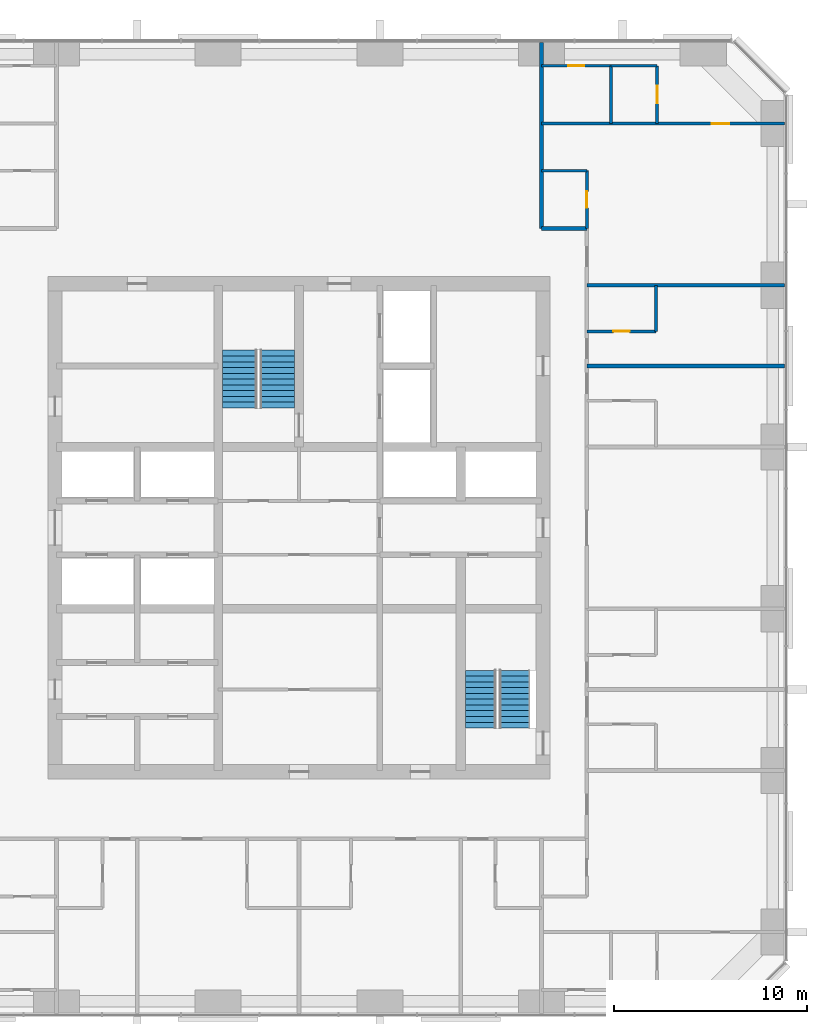
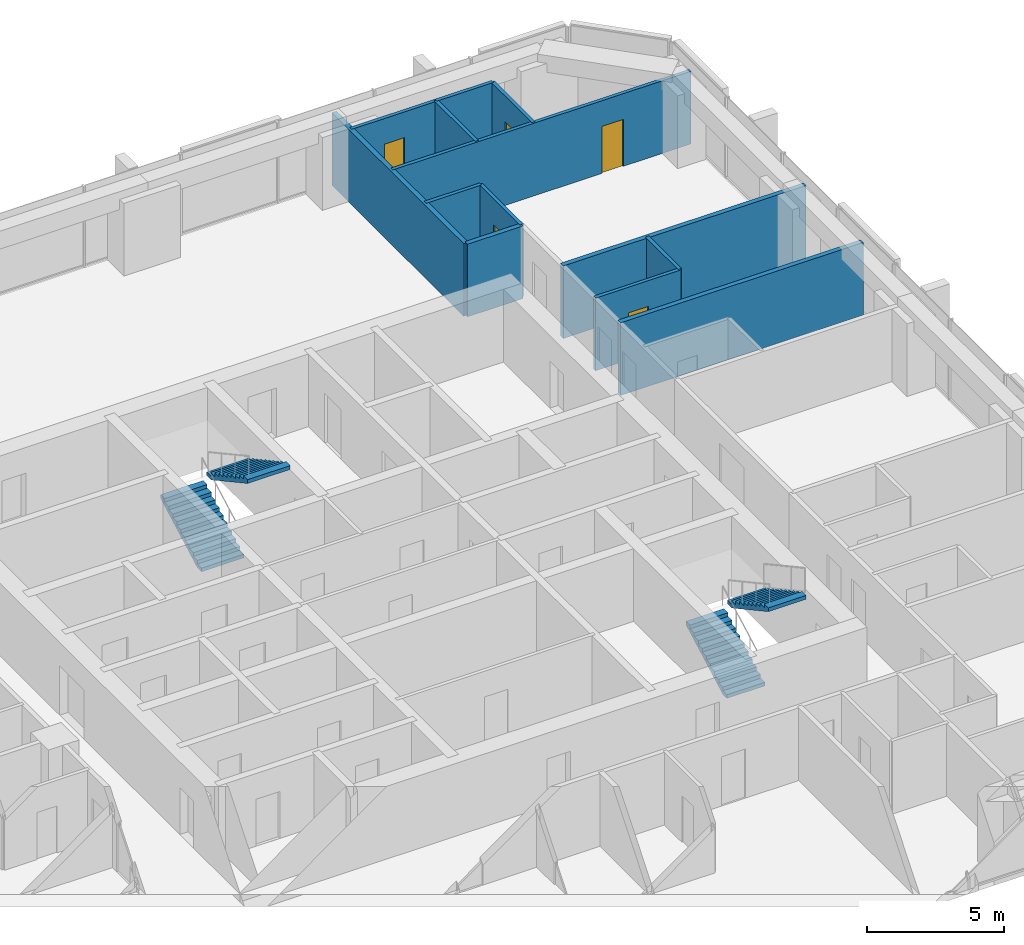
# One storey, part 12 of 13: 13 walls, 5 doors, 4 stair flights, 5 openings, 2 elements without a shape of their own.
"""IFC4 building model written with IfcOpenShell, lengths in metres."""

import ifcopenshell
import ifcopenshell.guid

model = None  # the IFC model being written
_history = None  # IfcOwnerHistory: only IFC2X3 demands one
_inside = {}  # id of a spatial element -> (the spatial element, [elements in it])
_under = {}  # id of a project, library or spatial element -> (it, [spatial elements below it])
_declared = {}  # id of a project -> (the project, [libraries it declares])
_typed = {}  # id of a type object -> (the type object, [elements of that type])
_made_of = {}  # id of a material, layer set ... -> (it, [elements and type objects made of it])


def new_model(schema):
    """Start an empty IFC model of exactly this schema.

    Asked for "IFC4X3", IfcOpenShell would pick the latest addendum, in which some entities
    have other attributes; the version numbers below select the first issue.
    IFC2X3 requires an IfcOwnerHistory on every rooted entity: one is made here for all.
    """
    global model, _history
    if schema == "IFC4X3":
        model = ifcopenshell.file(schema_version=(4, 3, 0, 0))
    else:
        model = ifcopenshell.file(schema=schema)
    _inside.clear()
    _under.clear()
    _declared.clear()
    _typed.clear()
    _made_of.clear()
    _history = None
    if model.schema == "IFC2X3":
        org = make("IfcOrganization", Name="unknown")
        user = make(
            "IfcPersonAndOrganization",
            ThePerson=make("IfcPerson", FamilyName="unknown"),
            TheOrganization=org,
        )
        app = make(
            "IfcApplication",
            ApplicationDeveloper=org,
            Version="unknown",
            ApplicationFullName="unknown",
            ApplicationIdentifier="unknown",
        )
        _history = make(
            "IfcOwnerHistory",
            OwningUser=user,
            OwningApplication=app,
            ChangeAction="ADDED",
            CreationDate=0,
        )
    return model


def make(cls, **values):
    """One entity of the class cls with the attributes given. An attribute that is None is left unset."""
    return model.create_entity(
        cls, **{name: value for name, value in values.items() if value is not None}
    )


def rooted(cls, **values):
    """An entity with a GlobalId (a new one), such as an element, a storey or a relation."""
    return make(cls, GlobalId=ifcopenshell.guid.new(), OwnerHistory=_history, **values)


def si_unit(unit_type, name, prefix=None):
    """IfcSIUnit, for example si_unit("LENGTHUNIT", "METRE", prefix="MILLI")."""
    return make("IfcSIUnit", UnitType=unit_type, Prefix=prefix, Name=name)


def assignment(units):
    """IfcUnitAssignment: the units of a project."""
    return None if units is None else make("IfcUnitAssignment", Units=units)


def point(xyz):
    """IfcCartesianPoint."""
    return None if xyz is None else make("IfcCartesianPoint", Coordinates=xyz)


def direction(xyz):
    """IfcDirection."""
    return None if xyz is None else make("IfcDirection", DirectionRatios=xyz)


def frame(location, z_axis=None, x_axis=None):
    """IfcAxis2Placement3D, a coordinate frame: its origin and axes. An axis left out is left unset."""
    return make(
        "IfcAxis2Placement3D",
        Location=point(location),
        Axis=direction(z_axis),
        RefDirection=direction(x_axis),
    )


def frame_2d(location, x_axis=None):
    """IfcAxis2Placement2D, a coordinate frame in the plane: its origin and x axis."""
    return make(
        "IfcAxis2Placement2D", Location=point(location), RefDirection=direction(x_axis)
    )


def origin():
    """The frame at (0, 0, 0) with its axes left unset."""
    return frame((0.0, 0.0, 0.0))


def place(relative_to, where):
    """IfcLocalPlacement: puts the frame where relative to a parent placement (None: the world)."""
    return make(
        "IfcLocalPlacement", PlacementRelTo=relative_to, RelativePlacement=where
    )


def context(
    kind, dimensions, precision=None, world=None, true_north=None, identifier=None
):
    """IfcGeometricRepresentationContext, for example the 3D "Model" context."""
    return make(
        "IfcGeometricRepresentationContext",
        ContextIdentifier=identifier,
        ContextType=kind,
        CoordinateSpaceDimension=dimensions,
        Precision=precision,
        WorldCoordinateSystem=world,
        TrueNorth=true_north,
    )


def subcontext(parent, identifier, kind, view, scale=None):
    """IfcGeometricRepresentationSubContext, for example "Body" below "Model"."""
    return make(
        "IfcGeometricRepresentationSubContext",
        ContextIdentifier=identifier,
        ContextType=kind,
        ParentContext=parent,
        TargetScale=scale,
        TargetView=view,
    )


def project(units=None, contexts=None):
    """IfcProject with its units and contexts."""
    return rooted(
        "IfcProject",
        Name="project",
        RepresentationContexts=contexts,
        UnitsInContext=assignment(units),
    )


def spatial(cls, under=None, at=None, **own):
    """A site, building, storey or space (cls), placed at a placement, below another one or the project."""
    s = rooted(cls, ObjectPlacement=at, **own)
    if under is not None:
        _under.setdefault(under.id(), (under, []))[1].append(s)
    return s


def polyline(points):
    """IfcPolyline through the points."""
    return make("IfcPolyline", Points=[point(p) for p in points])


def profile(cls, at=None, kind="AREA", **sizes):
    """A parametric profile (cls). Its sizes go by their IFC names, for example OverallWidth=200.0."""
    return make(cls, ProfileType=kind, Position=at, **sizes)


def rectangle(**sizes):
    """IfcRectangleProfileDef."""
    return profile("IfcRectangleProfileDef", **sizes)


def outline(outer, holes=None, kind="AREA"):
    """IfcArbitraryClosedProfileDef: a profile drawn as a closed curve; with holes, ...WithVoids."""
    if holes is None:
        return make("IfcArbitraryClosedProfileDef", ProfileType=kind, OuterCurve=outer)
    return make(
        "IfcArbitraryProfileDefWithVoids",
        ProfileType=kind,
        OuterCurve=outer,
        InnerCurves=holes,
    )


def extrude(swept, where, along, depth):
    """IfcExtrudedAreaSolid: the profile swept, set in the frame where, extruded along a direction by depth."""
    return make(
        "IfcExtrudedAreaSolid",
        SweptArea=swept,
        Position=where,
        ExtrudedDirection=direction(along),
        Depth=depth,
    )


def shape(context_of_items, identifier, shape_type, items):
    """IfcShapeRepresentation: the items that make up one representation, for example the "Body"."""
    return make(
        "IfcShapeRepresentation",
        ContextOfItems=context_of_items,
        RepresentationIdentifier=identifier,
        RepresentationType=shape_type,
        Items=items,
    )


def material(Name=None, Category=None):
    """IfcMaterial."""
    return make("IfcMaterial", Name=Name, Category=Category)


def layer(
    of_material, thickness, ventilated=None, Name=None, Category=None, Priority=None
):
    """IfcMaterialLayer: one layer of a wall or slab, of a material (None: an air gap)."""
    return make(
        "IfcMaterialLayer",
        Material=of_material,
        LayerThickness=thickness,
        IsVentilated=ventilated,
        Name=Name,
        Category=Category,
        Priority=Priority,
    )


def layer_set(layers, Name=None):
    """IfcMaterialLayerSet."""
    return make("IfcMaterialLayerSet", MaterialLayers=layers, LayerSetName=Name)


def made_of(thing, what):
    """Note that an element or type object is made of a material, layer set ...; save() writes the relation."""
    if what is not None:
        _made_of.setdefault(what.id(), (what, []))[1].append(thing)
    return thing


def type_object(cls, material=None, **own):
    """A type object (cls), such as IfcWallType, which elements share."""
    return made_of(rooted(cls, **own), material)


def element(
    cls,
    number,
    at=None,
    inside=None,
    cuts=None,
    type_object=None,
    material=None,
    context=None,
    identifier="Body",
    shape_type=None,
    held_by="IfcProductDefinitionShape",
    body=None,
    shapes=None,
    **own,
):
    """One element of the class cls, such as IfcWall. Its Tag is "e" and its number.

    at: its placement. inside: the storey or other place that contains it. cuts: it is an
    opening in that element (IfcRelVoidsElement). A single representation is given by context,
    identifier, shape_type and body (its items); several are given by shapes. held_by: the class
    of the entity that holds the representations. save() writes the other relations.
    """
    e = rooted(cls, Tag="e%d" % number, ObjectPlacement=at, **own)
    if body is not None:
        shapes = [shape(context, identifier, shape_type, body)]
    if shapes is not None:
        e.Representation = make(held_by, Representations=shapes)
    if inside is not None:
        _inside.setdefault(inside.id(), (inside, []))[1].append(e)
    if cuts is not None:
        rooted(
            "IfcRelVoidsElement", RelatingBuildingElement=cuts, RelatedOpeningElement=e
        )
    if type_object is not None:
        _typed.setdefault(type_object.id(), (type_object, []))[1].append(e)
    return made_of(e, material)


def fill(opening, filler):
    """IfcRelFillsElement: the door or window that sits in an opening."""
    return rooted(
        "IfcRelFillsElement",
        RelatingOpeningElement=opening,
        RelatedBuildingElement=filler,
    )


def aggregate(whole, parts):
    """IfcRelAggregates: a whole, such as a stair, and the parts it consists of."""
    return rooted("IfcRelAggregates", RelatingObject=whole, RelatedObjects=parts)


def save(model, path):
    """Write the relations noted so far, then the file.

    IfcRelAggregates (storeys below a building ...), IfcRelContainedInSpatialStructure (elements
    in a storey), IfcRelDefinesByType, IfcRelAssociatesMaterial and IfcRelDeclares: one each for
    every whole, place, type object, material and project.
    """
    for whole, parts in _under.values():
        aggregate(whole, parts)
    for where, things in _inside.values():
        rooted(
            "IfcRelContainedInSpatialStructure",
            RelatedElements=things,
            RelatingStructure=where,
        )
    for kind, things in _typed.values():
        rooted("IfcRelDefinesByType", RelatedObjects=things, RelatingType=kind)
    for what, things in _made_of.values():
        rooted("IfcRelAssociatesMaterial", RelatedObjects=things, RelatingMaterial=what)
    for by, libraries in _declared.values():
        rooted("IfcRelDeclares", RelatingContext=by, RelatedDefinitions=libraries)
    model.write(path)


model = new_model("IFC4")

# Units and contexts
model_context = context("Model", 3, precision=1e-05, world=origin(), true_north=direction((0.0, 1.0)))
body_context = subcontext(model_context, "Body", "Model", "MODEL_VIEW")
ifc_project = project(units=[si_unit("LENGTHUNIT", "METRE"), si_unit("AREAUNIT", "SQUARE_METRE"), si_unit("VOLUMEUNIT", "CUBIC_METRE"), si_unit("PLANEANGLEUNIT", "RADIAN"), si_unit("MASSUNIT", "GRAM", prefix="KILO")], contexts=[model_context])

# Site, building, storey
site_placement = place(None, origin())
site = spatial("IfcSite", under=ifc_project, at=site_placement, CompositionType="ELEMENT")
building_placement = place(site_placement, origin())
building = spatial("IfcBuilding", under=site, at=building_placement, Name="Dunama Terrace Hotel", CompositionType="ELEMENT")
storey_placement = place(building_placement, frame((0.0, 0.0, 166.199951171875)))
storey = spatial("IfcBuildingStorey", under=building, at=storey_placement, Name="L42", CompositionType="ELEMENT", Elevation=166.199951171875)

# Wall, opening, door
ifc_material_1 = material(Name="Gypsum board partition", Category="masonry")
ifc_layer_1 = layer(ifc_material_1, 0.14990234375)
ifc_layer_set_1 = layer_set([ifc_layer_1], Name="Bathroom partition 150")
wall_type_1 = type_object("IfcWallType", Name="Bathroom partition 150", PredefinedType="PARTITIONING", material=ifc_layer_set_1)
wall_1_placement = place(storey_placement, frame((44.35009765625, 44.949951171875, 0.0), z_axis=(0.0, 0.0, 1.0), x_axis=(0.0, 1.0, 0.0)))
wall_1 = element("IfcWall", 1, at=wall_1_placement, inside=storey, type_object=wall_type_1, Name="Bathroom partition 150 L42", PredefinedType="PARTITIONING", context=body_context, shape_type="SweptSolid", body=[
    extrude(rectangle(XDim=3.0, YDim=0.14990234375, at=frame_2d((1.5, 0.0))), origin(), (0.0, 0.0, 1.0), 3.25),
])
opening_1_placement = place(wall_1_placement, frame((1.074951171875, 0.0, 0.0)))
opening_1 = element("IfcOpeningElement", 2, at=opening_1_placement, cuts=wall_1, Name="Opening L42-44-049", PredefinedType="OPENING", context=body_context, shape_type="SweptSolid", body=[
    extrude(rectangle(XDim=0.85009765625, YDim=2.10009765625, at=frame_2d((0.425048828125, 1.050048828125))), frame((0.0, 0.0849609375, 0.0), z_axis=(0.0, -1.0, 0.0), x_axis=(1.0, 0.0, 0.0)), (0.0, 0.0, 1.0), 0.169921875),
])
ifc_material_2 = material(Name="Timber door with steel frame", Category="steel")
door_type_1 = type_object("IfcDoorType", Name="Bathroom door 850", OperationType="SINGLE_SWING_LEFT", PredefinedType="DOOR", material=ifc_material_2)
door_1_placement = place(opening_1_placement, origin())
door_1 = element("IfcDoor", 3, at=door_1_placement, inside=storey, type_object=door_type_1, Name="Door to powder room L42-44-049, type D2", OperationType="SINGLE_SWING_LEFT", OverallHeight=2.10009765625, OverallWidth=0.85009765625, PredefinedType="DOOR", context=body_context, shape_type="SweptSolid", body=[
    extrude(rectangle(XDim=0.85009765625, YDim=2.10009765625, at=frame_2d((0.425048828125, 1.050048828125))), frame((0.0, 0.02490234375, 0.0), z_axis=(0.0, -1.0, 0.0), x_axis=(1.0, 0.0, 0.0)), (0.0, 0.0, 1.0), 0.050048828125),
])
fill(opening_1, door_1)

# Wall
wall_2_placement = place(storey_placement, frame((47.949951171875, 39.60009765625, 0.0), z_axis=(0.0, 0.0, 1.0), x_axis=(0.0, 1.0, 0.0)))
element("IfcWall", 4, at=wall_2_placement, inside=storey, type_object=wall_type_1, Name="Bathroom partition 150 L42", PredefinedType="PARTITIONING", context=body_context, shape_type="SweptSolid", body=[
    extrude(rectangle(XDim=2.39990234375, YDim=0.14990234375, at=frame_2d((1.199951171875, 0.0))), origin(), (0.0, 0.0, 1.0), 3.25),
])

# Wall, opening, door
wall_3_placement = place(storey_placement, frame((44.35009765625, 39.60009765625, 0.0), z_axis=(0.0, 0.0, 1.0), x_axis=(1.0, 0.0, 0.0)))
wall_3 = element("IfcWall", 5, at=wall_3_placement, inside=storey, type_object=wall_type_1, Name="Bathroom partition 150 L42", PredefinedType="PARTITIONING", context=body_context, shape_type="SweptSolid", body=[
    extrude(rectangle(XDim=3.599853515625, YDim=0.14990234375, at=frame_2d((1.7998046875, 0.0))), origin(), (0.0, 0.0, 1.0), 3.25),
])
opening_2_placement = place(wall_3_placement, frame((1.375, 0.0, 0.0)))
opening_2 = element("IfcOpeningElement", 6, at=opening_2_placement, cuts=wall_3, Name="Opening L42-44-025", PredefinedType="OPENING", context=body_context, shape_type="SweptSolid", body=[
    extrude(rectangle(XDim=0.85009765625, YDim=2.10009765625, at=frame_2d((0.425048828125, 1.050048828125))), frame((0.0, 0.0849609375, 0.0), z_axis=(0.0, -1.0, 0.0), x_axis=(1.0, 0.0, 0.0)), (0.0, 0.0, 1.0), 0.169921875),
])
door_2_placement = place(opening_2_placement, origin())
door_2 = element("IfcDoor", 7, at=door_2_placement, inside=storey, type_object=door_type_1, Name="Door to en-suite bathroom L42-44-025, type D2", OperationType="SINGLE_SWING_LEFT", OverallHeight=2.10009765625, OverallWidth=0.85009765625, PredefinedType="DOOR", context=body_context, shape_type="SweptSolid", body=[
    extrude(rectangle(XDim=0.85009765625, YDim=2.10009765625, at=frame_2d((0.425048828125, 1.050048828125))), frame((0.0, 0.02490234375, 0.0), z_axis=(0.0, -1.0, 0.0), x_axis=(1.0, 0.0, 0.0)), (0.0, 0.0, 1.0), 0.050048828125),
])
fill(opening_2, door_2)

# Wall
wall_4_placement = place(storey_placement, frame((42.0, 47.949951171875, 0.0), z_axis=(0.0, 0.0, 1.0), x_axis=(1.0, 0.0, 0.0)))
element("IfcWall", 8, at=wall_4_placement, inside=storey, type_object=wall_type_1, Name="Bathroom partition 150 L42", PredefinedType="PARTITIONING", context=body_context, shape_type="SweptSolid", body=[
    extrude(rectangle(XDim=2.35009765625, YDim=0.14990234375, at=frame_2d((1.175048828125, 0.0))), origin(), (0.0, 0.0, 1.0), 3.25),
])

# Wall, opening, door
wall_5_placement = place(storey_placement, frame((42.0, 53.39990234375, 0.0), z_axis=(0.0, 0.0, 1.0), x_axis=(1.0, 0.0, 0.0)))
wall_5 = element("IfcWall", 9, at=wall_5_placement, inside=storey, type_object=wall_type_1, Name="Bathroom partition 150 L42", PredefinedType="PARTITIONING", context=body_context, shape_type="SweptSolid", body=[
    extrude(rectangle(XDim=3.60009765625, YDim=0.14990234375, at=frame_2d((1.800048828125, 0.0))), origin(), (0.0, 0.0, 1.0), 3.25),
])
opening_3_placement = place(wall_5_placement, frame((1.375, 0.0, 0.0)))
opening_3 = element("IfcOpeningElement", 10, at=opening_3_placement, cuts=wall_5, Name="Opening L42-44-051", PredefinedType="OPENING", context=body_context, shape_type="SweptSolid", body=[
    extrude(rectangle(XDim=0.85009765625, YDim=2.10009765625, at=frame_2d((0.425048828125, 1.050048828125))), frame((0.0, 0.0849609375, 0.0), z_axis=(0.0, -1.0, 0.0), x_axis=(1.0, 0.0, 0.0)), (0.0, 0.0, 1.0), 0.169921875),
])
door_3_placement = place(opening_3_placement, frame((0.85009765625, 0.0, 0.0), z_axis=(0.0, 0.0, 1.0), x_axis=(-1.0, 0.0, 0.0)))
door_3 = element("IfcDoor", 11, at=door_3_placement, inside=storey, type_object=door_type_1, Name="Door to en-suite bathroom L42-44-051, type D2", OperationType="SINGLE_SWING_RIGHT", OverallHeight=2.10009765625, OverallWidth=0.85009765625, PredefinedType="DOOR", context=body_context, shape_type="SweptSolid", body=[
    extrude(rectangle(XDim=0.85009765625, YDim=2.10009765625, at=frame_2d((0.425048828125, 1.050048828125))), frame((0.0, 0.025146484375, 0.0), z_axis=(0.0, -1.0, 0.0), x_axis=(1.0, 0.0, 0.0)), (0.0, 0.0, 1.0), 0.050048828125),
])
fill(opening_3, door_3)

# Walls
ifc_material_3 = material(Name="Concrete blockwork", Category="masonry")
ifc_layer_2 = layer(ifc_material_3, 0.199951171875)
ifc_layer_set_2 = layer_set([ifc_layer_2], Name="Corridor partition 200")
wall_type_2 = type_object("IfcWallType", Name="Corridor partition 200", PredefinedType="PARTITIONING", material=ifc_layer_set_2)
wall_6_placement = place(storey_placement, frame((42.0, 44.949951171875, 0.0), z_axis=(0.0, 0.0, 1.0), x_axis=(1.0, 0.0, 0.0)))
element("IfcWall", 12, at=wall_6_placement, inside=storey, type_object=wall_type_2, Name="Corridor partition 200 L42", PredefinedType="PARTITIONING", context=body_context, shape_type="SweptSolid", body=[
    extrude(rectangle(XDim=2.35009765625, YDim=0.199951171875, at=frame_2d((1.175048828125, 0.0))), origin(), (0.0, 0.0, 1.0), 3.25),
])
wall_7_placement = place(storey_placement, frame((42.0, 54.617919921875, 0.0), z_axis=(0.0, 0.0, 1.0), x_axis=(0.0, -1.0, 0.0)))
element("IfcWall", 13, at=wall_7_placement, inside=storey, type_object=wall_type_2, Name="Corridor partition 200 L42", PredefinedType="PARTITIONING", context=body_context, shape_type="SweptSolid", body=[
    extrude(rectangle(XDim=9.66796875, YDim=0.199951171875, at=frame_2d((4.833984375, 0.0))), origin(), (0.0, 0.0, 1.0), 3.25),
])
ifc_material_4 = material(Name="Concrete blockwork", Category="masonry")
ifc_layer_3 = layer(ifc_material_4, 0.199951171875)
ifc_layer_set_3 = layer_set([ifc_layer_3], Name="Party wall 200")
wall_type_3 = type_object("IfcWallType", Name="Party wall 200", PredefinedType="PARTITIONING", material=ifc_layer_set_3)
for number, where, z_axis, x_axis, name in (
    (14, (44.35009765625, 37.800048828125, 0.0), (0.0, 0.0, 1.0), (1.0, 0.0, 0.0), "Party wall 200 L42"),
    (15, (44.35009765625, 42.0, 0.0), (0.0, 0.0, 1.0), (1.0, 0.0, 0.0), "Party wall 200 L42"),
):
    element("IfcWall", number, at=place(storey_placement, frame(where, z_axis=z_axis, x_axis=x_axis)), inside=storey, type_object=wall_type_3, Name=name, PredefinedType="PARTITIONING", context=body_context, shape_type="SweptSolid", body=[
        extrude(rectangle(XDim=10.267822265625, YDim=0.199951171875, at=frame_2d((5.1337890625, 0.0))), origin(), (0.0, 0.0, 1.0), 3.25),
    ])
ifc_material_5 = material(Name="Gypsum board partition", Category="masonry")
ifc_layer_4 = layer(ifc_material_5, 0.14990234375)
ifc_layer_set_4 = layer_set([ifc_layer_4], Name="Room partition 150")
wall_type_4 = type_object("IfcWallType", Name="Room partition 150", PredefinedType="PARTITIONING", material=ifc_layer_set_4)
wall_8_placement = place(storey_placement, frame((45.60009765625, 50.39990234375, 0.0), z_axis=(0.0, 0.0, 1.0), x_axis=(0.0, 1.0, 0.0)))
element("IfcWall", 16, at=wall_8_placement, inside=storey, type_object=wall_type_4, Name="Room partition 150 L42", PredefinedType="PARTITIONING", context=body_context, shape_type="SweptSolid", body=[
    extrude(rectangle(XDim=3.0, YDim=0.14990234375, at=frame_2d((1.5, 0.0))), origin(), (0.0, 0.0, 1.0), 3.25),
])

# Wall, opening, door
wall_9_placement = place(storey_placement, frame((48.0, 50.39990234375, 0.0), z_axis=(0.0, 0.0, 1.0), x_axis=(0.0, 1.0, 0.0)))
wall_9 = element("IfcWall", 17, at=wall_9_placement, inside=storey, type_object=wall_type_4, Name="Room partition 150 L42", PredefinedType="PARTITIONING", context=body_context, shape_type="SweptSolid", body=[
    extrude(rectangle(XDim=3.0, YDim=0.14990234375, at=frame_2d((1.5, 0.0))), origin(), (0.0, 0.0, 1.0), 3.25),
])
opening_4_placement = place(wall_9_placement, frame((1.050048828125, 0.0, 0.0)))
opening_4 = element("IfcOpeningElement", 18, at=opening_4_placement, cuts=wall_9, Name="Opening L42-44-052", PredefinedType="OPENING", context=body_context, shape_type="SweptSolid", body=[
    extrude(rectangle(XDim=0.89990234375, YDim=2.10009765625, at=frame_2d((0.449951171875, 1.050048828125))), frame((0.0, 0.0849609375, 0.0), z_axis=(0.0, -1.0, 0.0), x_axis=(1.0, 0.0, 0.0)), (0.0, 0.0, 1.0), 0.169921875),
])
ifc_material_6 = material(Name="Timber door with steel frame", Category="steel")
door_type_2 = type_object("IfcDoorType", Name="Suite internal door 900", OperationType="SINGLE_SWING_LEFT", PredefinedType="DOOR", material=ifc_material_6)
door_4_placement = place(opening_4_placement, origin())
door_4 = element("IfcDoor", 19, at=door_4_placement, inside=storey, type_object=door_type_2, Name="Door to dressing room L42-44-052, type D16", OperationType="SINGLE_SWING_LEFT", OverallHeight=2.10009765625, OverallWidth=0.89990234375, PredefinedType="DOOR", context=body_context, shape_type="SweptSolid", body=[
    extrude(rectangle(XDim=0.89990234375, YDim=2.10009765625, at=frame_2d((0.449951171875, 1.050048828125))), frame((0.0, 0.02490234375, 0.0), z_axis=(0.0, -1.0, 0.0), x_axis=(1.0, 0.0, 0.0)), (0.0, 0.0, 1.0), 0.050048828125),
])
fill(opening_4, door_4)

wall_10_placement = place(storey_placement, frame((42.0, 50.39990234375, 0.0), z_axis=(0.0, 0.0, 1.0), x_axis=(1.0, 0.0, 0.0)))
wall_10 = element("IfcWall", 20, at=wall_10_placement, inside=storey, type_object=wall_type_4, Name="Room partition 150 L42", PredefinedType="PARTITIONING", context=body_context, shape_type="SweptSolid", body=[
    extrude(rectangle(XDim=12.617919921875, YDim=0.14990234375, at=frame_2d((6.30908203125, 0.0))), origin(), (0.0, 0.0, 1.0), 3.25),
])
opening_5_placement = place(wall_10_placement, frame((8.85009765625, 0.0, 0.0)))
opening_5 = element("IfcOpeningElement", 21, at=opening_5_placement, cuts=wall_10, Name="Opening L42-44-050", PredefinedType="OPENING", context=body_context, shape_type="SweptSolid", body=[
    extrude(rectangle(XDim=0.89990234375, YDim=2.10009765625, at=frame_2d((0.449951171875, 1.050048828125))), frame((0.0, 0.0849609375, 0.0), z_axis=(0.0, -1.0, 0.0), x_axis=(1.0, 0.0, 0.0)), (0.0, 0.0, 1.0), 0.169921875),
])
door_5_placement = place(opening_5_placement, origin())
door_5 = element("IfcDoor", 22, at=door_5_placement, inside=storey, type_object=door_type_2, Name="Door to corner suite bedroom L42-44-050, type D16", OperationType="SINGLE_SWING_RIGHT", OverallHeight=2.10009765625, OverallWidth=0.89990234375, PredefinedType="DOOR", context=body_context, shape_type="SweptSolid", body=[
    extrude(rectangle(XDim=0.89990234375, YDim=2.10009765625, at=frame_2d((0.449951171875, 1.050048828125))), frame((0.0, 0.02490234375, 0.0), z_axis=(0.0, -1.0, 0.0), x_axis=(1.0, 0.0, 0.0)), (0.0, 0.0, 1.0), 0.050048828125),
])
fill(opening_5, door_5)

# Wall
wall_11_placement = place(storey_placement, frame((45.60009765625, 53.39990234375, 0.0), z_axis=(0.0, 0.0, 1.0), x_axis=(1.0, 0.0, 0.0)))
element("IfcWall", 23, at=wall_11_placement, inside=storey, type_object=wall_type_4, Name="Room partition 150 L42", PredefinedType="PARTITIONING", context=body_context, shape_type="SweptSolid", body=[
    extrude(rectangle(XDim=2.39990234375, YDim=0.14990234375, at=frame_2d((1.199951171875, 0.0))), origin(), (0.0, 0.0, 1.0), 3.25),
])

# Stair, stair flights
ifc_material_7 = material(Name="Concrete C40/50", Category="concrete")
stair_type_1 = type_object("IfcStairType", Name="Stair ST1-3600-1800", PredefinedType="HALF_TURN_STAIR", material=ifc_material_7)
stair_1_placement = place(storey_placement, origin())
stair_1 = element("IfcStair", 24, at=stair_1_placement, inside=storey, type_object=stair_type_1, Name="Stair ST1 L42", PredefinedType="HALF_TURN_STAIR")
ifc_material_8 = material(Name="Concrete C40/50", Category="concrete")
stair_flight_type_1 = type_object("IfcStairFlightType", Name="Stair flight ST1-3600-1800", PredefinedType="STRAIGHT", material=ifc_material_8)
stair_flight_1_placement = place(storey_placement, frame((26.324951171875, 35.625, 0.0), z_axis=(0.0, 0.0, 1.0), x_axis=(0.0, 1.0, 0.0)))
stair_flight_1 = element("IfcStairFlight", 25, at=stair_flight_1_placement, type_object=stair_flight_type_1, Name="ST1 flight 1", NumberOfRisers=11, NumberOfTreads=10, PredefinedType="STRAIGHT", RiserHeight=0.163636364, TreadLength=0.3, context=body_context, shape_type="SweptSolid", body=[
    extrude(outline(polyline([(0.0, 0.0), (0.0, 0.16357421875), (0.300048828125, 0.16357421875), (0.300048828125, 0.327392578125), (0.60009765625, 0.327392578125), (0.60009765625, 0.490966796875), (0.89990234375, 0.490966796875), (0.89990234375, 0.654541015625), (1.199951171875, 0.654541015625), (1.199951171875, 0.818115234375), (1.5, 0.818115234375), (1.5, 0.98193359375), (1.800048828125, 0.98193359375), (1.800048828125, 1.1455078125), (2.10009765625, 1.1455078125), (2.10009765625, 1.30908203125), (2.39990234375, 1.30908203125), (2.39990234375, 1.47265625), (2.699951171875, 1.47265625), (2.699951171875, 1.636474609375), (3.0, 1.636474609375), (3.0, 1.800048828125), (3.0, 1.465576171875), (0.31298828125, 0.0), (0.0, 0.0)])), frame((0.0, 0.89990234375, 0.0), z_axis=(0.0, -1.0, 0.0), x_axis=(1.0, 0.0, 0.0)), (0.0, 0.0, 1.0), 1.800048828125),
])
stair_flight_2_placement = place(storey_placement, frame((28.27490234375, 38.625, 1.800048828125), z_axis=(0.0, 0.0, 1.0), x_axis=(0.0, -1.0, 0.0)))
stair_flight_2 = element("IfcStairFlight", 26, at=stair_flight_2_placement, type_object=stair_flight_type_1, Name="ST1 flight 2", NumberOfRisers=11, NumberOfTreads=10, PredefinedType="STRAIGHT", RiserHeight=0.163636364, TreadLength=0.3, context=body_context, shape_type="SweptSolid", body=[
    extrude(outline(polyline([(0.0, 0.0), (0.0, 0.16357421875), (0.300048828125, 0.16357421875), (0.300048828125, 0.327392578125), (0.60009765625, 0.327392578125), (0.60009765625, 0.490966796875), (0.89990234375, 0.490966796875), (0.89990234375, 0.654541015625), (1.199951171875, 0.654541015625), (1.199951171875, 0.818115234375), (1.5, 0.818115234375), (1.5, 0.98193359375), (1.800048828125, 0.98193359375), (1.800048828125, 1.1455078125), (2.10009765625, 1.1455078125), (2.10009765625, 1.30908203125), (2.39990234375, 1.30908203125), (2.39990234375, 1.47265625), (2.699951171875, 1.47265625), (2.699951171875, 1.636474609375), (3.0, 1.636474609375), (3.0, 1.800048828125), (3.0, 1.465576171875), (0.31298828125, 0.0), (0.0, 0.0)])), frame((0.0, 0.89990234375, 0.0), z_axis=(0.0, -1.0, 0.0), x_axis=(1.0, 0.0, 0.0)), (0.0, 0.0, 1.0), 1.800048828125),
])
aggregate(stair_1, [stair_flight_1, stair_flight_2])

ifc_material_9 = material(Name="Concrete C40/50", Category="concrete")
stair_type_2 = type_object("IfcStairType", Name="Stair ST2-3600-1600", PredefinedType="HALF_TURN_STAIR", material=ifc_material_9)
stair_2_placement = place(storey_placement, origin())
stair_2 = element("IfcStair", 27, at=stair_2_placement, inside=storey, type_object=stair_type_2, Name="Stair ST2 L42", PredefinedType="HALF_TURN_STAIR")
ifc_material_10 = material(Name="Concrete C40/50", Category="concrete")
stair_flight_type_2 = type_object("IfcStairFlightType", Name="Stair flight ST2-3600-1600", PredefinedType="STRAIGHT", material=ifc_material_10)
stair_flight_3_placement = place(storey_placement, frame((38.85009765625, 19.0, 0.0), z_axis=(0.0, 0.0, 1.0), x_axis=(0.0, 1.0, 0.0)))
stair_flight_3 = element("IfcStairFlight", 28, at=stair_flight_3_placement, type_object=stair_flight_type_2, Name="ST2 flight 1", NumberOfRisers=11, NumberOfTreads=10, PredefinedType="STRAIGHT", RiserHeight=0.163636364, TreadLength=0.3, context=body_context, shape_type="SweptSolid", body=[
    extrude(outline(polyline([(0.0, 0.0), (0.0, 0.16357421875), (0.300048828125, 0.16357421875), (0.300048828125, 0.327392578125), (0.60009765625, 0.327392578125), (0.60009765625, 0.490966796875), (0.89990234375, 0.490966796875), (0.89990234375, 0.654541015625), (1.199951171875, 0.654541015625), (1.199951171875, 0.818115234375), (1.5, 0.818115234375), (1.5, 0.98193359375), (1.800048828125, 0.98193359375), (1.800048828125, 1.1455078125), (2.10009765625, 1.1455078125), (2.10009765625, 1.30908203125), (2.39990234375, 1.30908203125), (2.39990234375, 1.47265625), (2.699951171875, 1.47265625), (2.699951171875, 1.636474609375), (3.0, 1.636474609375), (3.0, 1.800048828125), (3.0, 1.465576171875), (0.31298828125, 0.0), (0.0, 0.0)])), frame((0.0, 0.800048828125, 0.0), z_axis=(0.0, -1.0, 0.0), x_axis=(1.0, 0.0, 0.0)), (0.0, 0.0, 1.0), 1.60009765625),
])
stair_flight_4_placement = place(storey_placement, frame((40.60009765625, 22.0, 1.800048828125), z_axis=(0.0, 0.0, 1.0), x_axis=(0.0, -1.0, 0.0)))
stair_flight_4 = element("IfcStairFlight", 29, at=stair_flight_4_placement, type_object=stair_flight_type_2, Name="ST2 flight 2", NumberOfRisers=11, NumberOfTreads=10, PredefinedType="STRAIGHT", RiserHeight=0.163636364, TreadLength=0.3, context=body_context, shape_type="SweptSolid", body=[
    extrude(outline(polyline([(0.0, 0.0), (0.0, 0.16357421875), (0.300048828125, 0.16357421875), (0.300048828125, 0.327392578125), (0.60009765625, 0.327392578125), (0.60009765625, 0.490966796875), (0.89990234375, 0.490966796875), (0.89990234375, 0.654541015625), (1.199951171875, 0.654541015625), (1.199951171875, 0.818115234375), (1.5, 0.818115234375), (1.5, 0.98193359375), (1.800048828125, 0.98193359375), (1.800048828125, 1.1455078125), (2.10009765625, 1.1455078125), (2.10009765625, 1.30908203125), (2.39990234375, 1.30908203125), (2.39990234375, 1.47265625), (2.699951171875, 1.47265625), (2.699951171875, 1.636474609375), (3.0, 1.636474609375), (3.0, 1.800048828125), (3.0, 1.465576171875), (0.31298828125, 0.0), (0.0, 0.0)])), frame((0.0, 0.800048828125, 0.0), z_axis=(0.0, -1.0, 0.0), x_axis=(1.0, 0.0, 0.0)), (0.0, 0.0, 1.0), 1.60009765625),
])
aggregate(stair_2, [stair_flight_3, stair_flight_4])

save(model, "model.ifc")
